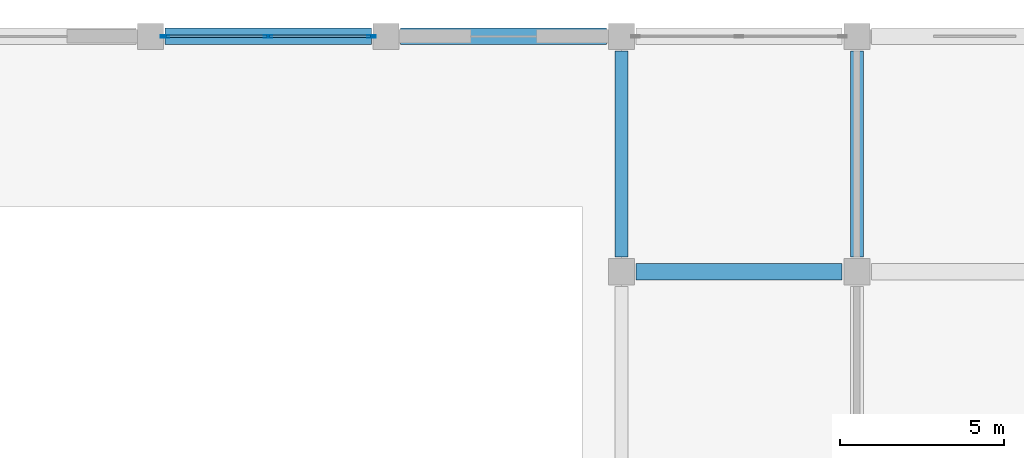
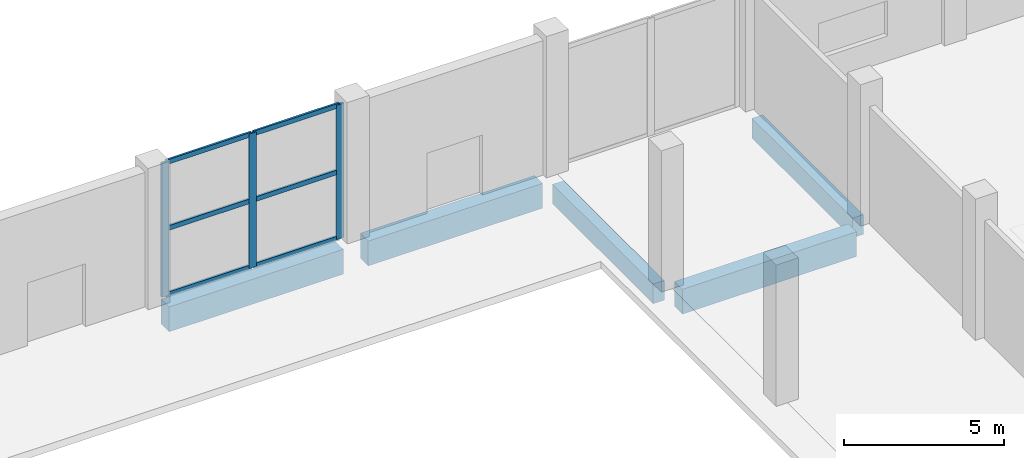
# One storey, part 39 of 70: 9 members, 5 beams, 1 element without a shape of its own.
"""IFC4 building model written with IfcOpenShell, lengths in metres."""

from ifc_helpers import new_model, si_unit, direction, frame, origin, origin_2d, place, context, subcontext, project, spatial, rectangle, hollow_rectangle, extrude, material, material_profile, profile_set, type_object, element, aggregate, save


model = new_model("IFC4")

# Units and contexts
model_context = context("Model", 3, precision=1e-05, world=origin(), true_north=direction((0.0, 1.0)))
body_context = subcontext(model_context, "Body", "Model", "MODEL_VIEW")
ifc_project = project(units=[si_unit("LENGTHUNIT", "METRE"), si_unit("AREAUNIT", "SQUARE_METRE"), si_unit("VOLUMEUNIT", "CUBIC_METRE"), si_unit("PLANEANGLEUNIT", "RADIAN"), si_unit("MASSUNIT", "GRAM", prefix="KILO")], contexts=[model_context])

# Site, building, storey
site_placement = place(None, origin())
site = spatial("IfcSite", under=ifc_project, at=site_placement, CompositionType="ELEMENT")
building_placement = place(site_placement, origin())
building = spatial("IfcBuilding", under=site, at=building_placement, Name="Vesperath Aquatics Centre", CompositionType="ELEMENT")
storey_placement = place(building_placement, origin())
storey = spatial("IfcBuildingStorey", under=building, at=storey_placement, Name="L00", CompositionType="ELEMENT", Elevation=0.0)

# Beams
ifc_material_1 = material(Name="Concrete C40", Category="concrete")
ifc_material_profile_1 = material_profile(ifc_material_1, rectangle(XDim=0.5, YDim=0.949951171875, at=origin_2d()), Name="RC 500x950")
ifc_profile_set_1 = profile_set([ifc_material_profile_1], Name="Concrete C40")
beam_type_1 = type_object("IfcBeamType", Name="BM-G02", PredefinedType="BEAM", material=ifc_profile_set_1)
for number, where, z_axis, x_axis, name in (
    (1, (130.050048828125, 115.199951171875, -0.7548828125), (1.0, 0.0, 0.0), (0.0, 1.0, 0.0), "Floor Girder B02 L00 S 19-20"),
    (2, (137.25, 115.199951171875, -0.7548828125), (1.0, 0.0, 0.0), (0.0, 1.0, 0.0), "Floor Girder B02 L00 S 20-21"),
    (3, (144.449951171875, 108.0, -0.7548828125), (1.0, 0.0, 0.0), (0.0, 1.0, 0.0), "Floor Girder B02 L00 R 21-22"),
):
    element("IfcBeam", number, at=place(storey_placement, frame(where, z_axis=z_axis, x_axis=x_axis)), inside=storey, type_object=beam_type_1, Name=name, PredefinedType="BEAM", context=body_context, shape_type="SweptSolid", body=[
        extrude(rectangle(XDim=0.5, YDim=0.949951171875, at=origin_2d()), origin(), (0.0, 0.0, 1.0), 6.300048828125),
    ])
ifc_material_2 = material(Name="Concrete C35", Category="concrete")
ifc_material_profile_2 = material_profile(ifc_material_2, rectangle(XDim=0.39990234375, YDim=0.75, at=origin_2d()), Name="RC 400x750")
ifc_profile_set_2 = profile_set([ifc_material_profile_2], Name="Concrete C35")
beam_type_2 = type_object("IfcBeamType", Name="BM-G04", PredefinedType="BEAM", material=ifc_profile_set_2)
for number, where, z_axis, x_axis, name in (
    (4, (144.0, 108.449951171875, -0.655029296875), (0.0, 1.0, 0.0), (-1.0, 0.0, 0.0), "Floor Girder B04 L00 21 R-S"),
    (5, (151.199951171875, 108.449951171875, -0.655029296875), (0.0, 1.0, 0.0), (-1.0, 0.0, 0.0), "Floor Girder B04 L00 22 R-S"),
):
    element("IfcBeam", number, at=place(storey_placement, frame(where, z_axis=z_axis, x_axis=x_axis)), inside=storey, type_object=beam_type_2, Name=name, PredefinedType="BEAM", context=body_context, shape_type="SweptSolid", body=[
        extrude(rectangle(XDim=0.39990234375, YDim=0.75, at=origin_2d()), origin(), (0.0, 0.0, 1.0), 6.300048828125),
    ])

# Curtain wall, members
ifc_material_3 = material(Name="Thermally broken anodised bronze aluminium curtain wall", Category="aluminium")
curtain_wall_type = type_object("IfcCurtainWallType", Name="CW-01", PredefinedType="NOTDEFINED", material=ifc_material_3)
curtain_wall_placement = place(storey_placement, origin())
curtain_wall = element("IfcCurtainWall", 6, at=curtain_wall_placement, inside=storey, type_object=curtain_wall_type, Name="Facade Curtain Wall CW01 L00_N_18_16", PredefinedType="NOTDEFINED")
ifc_material_4 = material(Name="Thermally broken anodised aluminium", Category="aluminium")
ifc_material_profile_3 = material_profile(ifc_material_4, hollow_rectangle(XDim=0.074951171875, YDim=0.260009765625, WallThickness=0.006103515625, at=origin_2d()), Name="CWM 75x260x6")
ifc_profile_set_3 = profile_set([ifc_material_profile_3], Name="Thermally broken anodised aluminium")
member_type_1 = type_object("IfcMemberType", Name="MB-CWM1", PredefinedType="MULLION", material=ifc_profile_set_3)
member_1_placement = place(storey_placement, frame((130.03759765625, 115.199951171875, 0.0), z_axis=(0.0, 0.0, 1.0), x_axis=(0.0, 1.0, 0.0)))
member_1 = element("IfcMember", 7, at=member_1_placement, type_object=member_type_1, Name="CW01 mullion 1", PredefinedType="MULLION", context=body_context, shape_type="SweptSolid", body=[
    extrude(hollow_rectangle(XDim=0.074951171875, YDim=0.260009765625, WallThickness=0.006103515625, at=origin_2d()), origin(), (0.0, 0.0, 1.0), 5.139892578125),
])
member_2_placement = place(storey_placement, frame((133.199951171875, 115.199951171875, 0.0), z_axis=(0.0, 0.0, 1.0), x_axis=(0.0, 1.0, 0.0)))
member_2 = element("IfcMember", 8, at=member_2_placement, type_object=member_type_1, Name="CW01 mullion 2", PredefinedType="MULLION", context=body_context, shape_type="SweptSolid", body=[
    extrude(hollow_rectangle(XDim=0.074951171875, YDim=0.260009765625, WallThickness=0.006103515625, at=origin_2d()), origin(), (0.0, 0.0, 1.0), 5.139892578125),
])
member_3_placement = place(storey_placement, frame((136.362548828125, 115.199951171875, 0.0), z_axis=(0.0, 0.0, 1.0), x_axis=(0.0, 1.0, 0.0)))
member_3 = element("IfcMember", 9, at=member_3_placement, type_object=member_type_1, Name="CW01 mullion 3", PredefinedType="MULLION", context=body_context, shape_type="SweptSolid", body=[
    extrude(hollow_rectangle(XDim=0.074951171875, YDim=0.260009765625, WallThickness=0.006103515625, at=origin_2d()), origin(), (0.0, 0.0, 1.0), 5.139892578125),
])
ifc_material_profile_4 = material_profile(ifc_material_4, hollow_rectangle(XDim=0.074951171875, YDim=0.179931640625, WallThickness=0.0048828125, at=origin_2d()), Name="CWT 75x180x5")
ifc_profile_set_4 = profile_set([ifc_material_profile_4], Name="Thermally broken anodised aluminium")
member_type_2 = type_object("IfcMemberType", Name="MB-CWT1", PredefinedType="USERDEFINED", material=ifc_profile_set_4)
member_4_placement = place(storey_placement, frame((130.074951171875, 115.199951171875, 0.03759765625), z_axis=(1.0, 0.0, 0.0), x_axis=(0.0, 1.0, 0.0)))
member_4 = element("IfcMember", 10, at=member_4_placement, type_object=member_type_2, Name="CW01 transom 1.1", ObjectType="TRANSOM", PredefinedType="USERDEFINED", context=body_context, shape_type="SweptSolid", body=[
    extrude(hollow_rectangle(XDim=0.074951171875, YDim=0.179931640625, WallThickness=0.0048828125, at=origin_2d()), origin(), (0.0, 0.0, 1.0), 3.087646484375),
])
member_5_placement = place(storey_placement, frame((130.074951171875, 115.199951171875, 2.570068359375), z_axis=(1.0, 0.0, 0.0), x_axis=(0.0, 1.0, 0.0)))
member_5 = element("IfcMember", 11, at=member_5_placement, type_object=member_type_2, Name="CW01 transom 1.2", ObjectType="TRANSOM", PredefinedType="USERDEFINED", context=body_context, shape_type="SweptSolid", body=[
    extrude(hollow_rectangle(XDim=0.074951171875, YDim=0.179931640625, WallThickness=0.0048828125, at=origin_2d()), origin(), (0.0, 0.0, 1.0), 3.087646484375),
])
member_6_placement = place(storey_placement, frame((130.074951171875, 115.199951171875, 5.1025390625), z_axis=(1.0, 0.0, 0.0), x_axis=(0.0, 1.0, 0.0)))
member_6 = element("IfcMember", 12, at=member_6_placement, type_object=member_type_2, Name="CW01 transom 1.3", ObjectType="TRANSOM", PredefinedType="USERDEFINED", context=body_context, shape_type="SweptSolid", body=[
    extrude(hollow_rectangle(XDim=0.074951171875, YDim=0.179931640625, WallThickness=0.0048828125, at=origin_2d()), origin(), (0.0, 0.0, 1.0), 3.087646484375),
])
member_7_placement = place(storey_placement, frame((133.237548828125, 115.199951171875, 0.03759765625), z_axis=(1.0, 0.0, 0.0), x_axis=(0.0, 1.0, 0.0)))
member_7 = element("IfcMember", 13, at=member_7_placement, type_object=member_type_2, Name="CW01 transom 2.1", ObjectType="TRANSOM", PredefinedType="USERDEFINED", context=body_context, shape_type="SweptSolid", body=[
    extrude(hollow_rectangle(XDim=0.074951171875, YDim=0.179931640625, WallThickness=0.0048828125, at=origin_2d()), origin(), (0.0, 0.0, 1.0), 3.08740234375),
])
member_8_placement = place(storey_placement, frame((133.237548828125, 115.199951171875, 2.570068359375), z_axis=(1.0, 0.0, 0.0), x_axis=(0.0, 1.0, 0.0)))
member_8 = element("IfcMember", 14, at=member_8_placement, type_object=member_type_2, Name="CW01 transom 2.2", ObjectType="TRANSOM", PredefinedType="USERDEFINED", context=body_context, shape_type="SweptSolid", body=[
    extrude(hollow_rectangle(XDim=0.074951171875, YDim=0.179931640625, WallThickness=0.0048828125, at=origin_2d()), origin(), (0.0, 0.0, 1.0), 3.08740234375),
])
member_9_placement = place(storey_placement, frame((133.237548828125, 115.199951171875, 5.1025390625), z_axis=(1.0, 0.0, 0.0), x_axis=(0.0, 1.0, 0.0)))
member_9 = element("IfcMember", 15, at=member_9_placement, type_object=member_type_2, Name="CW01 transom 2.3", ObjectType="TRANSOM", PredefinedType="USERDEFINED", context=body_context, shape_type="SweptSolid", body=[
    extrude(hollow_rectangle(XDim=0.074951171875, YDim=0.179931640625, WallThickness=0.0048828125, at=origin_2d()), origin(), (0.0, 0.0, 1.0), 3.08740234375),
])
aggregate(curtain_wall, [member_1, member_2, member_3, member_4, member_5, member_6, member_7, member_8, member_9])

save(model, "model.ifc")
